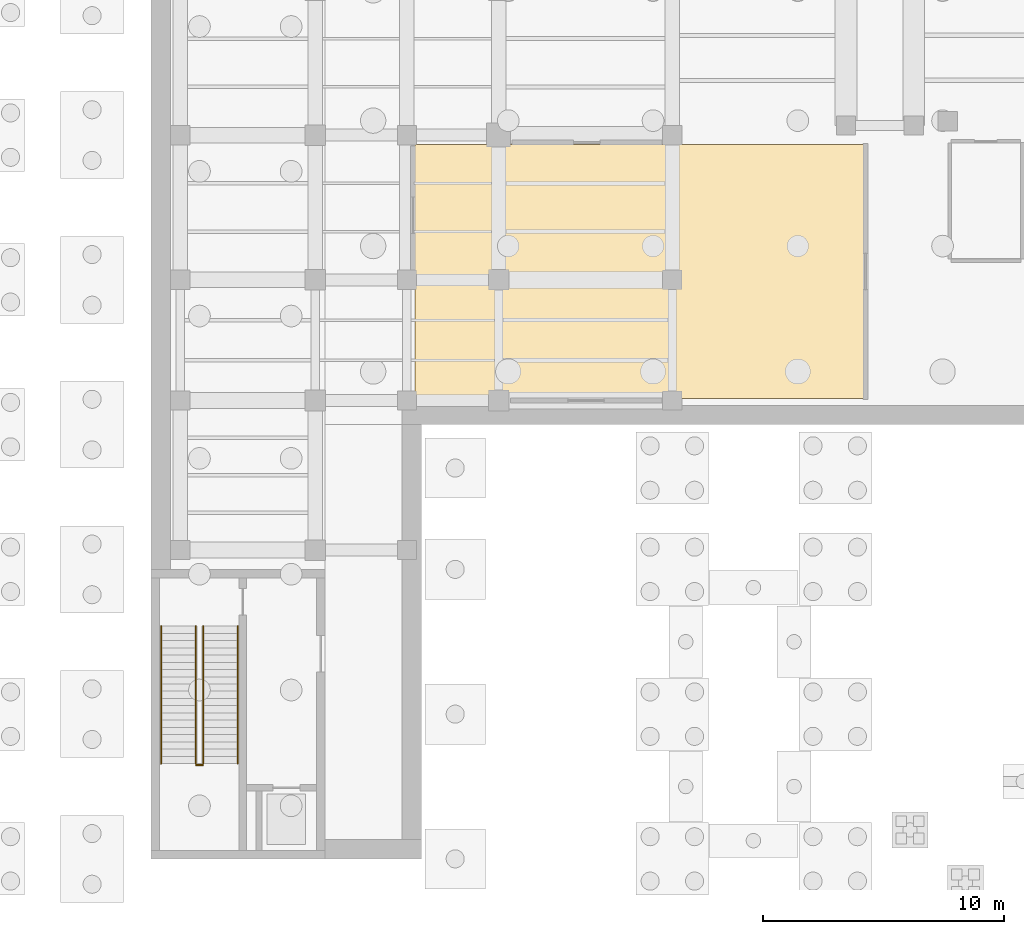
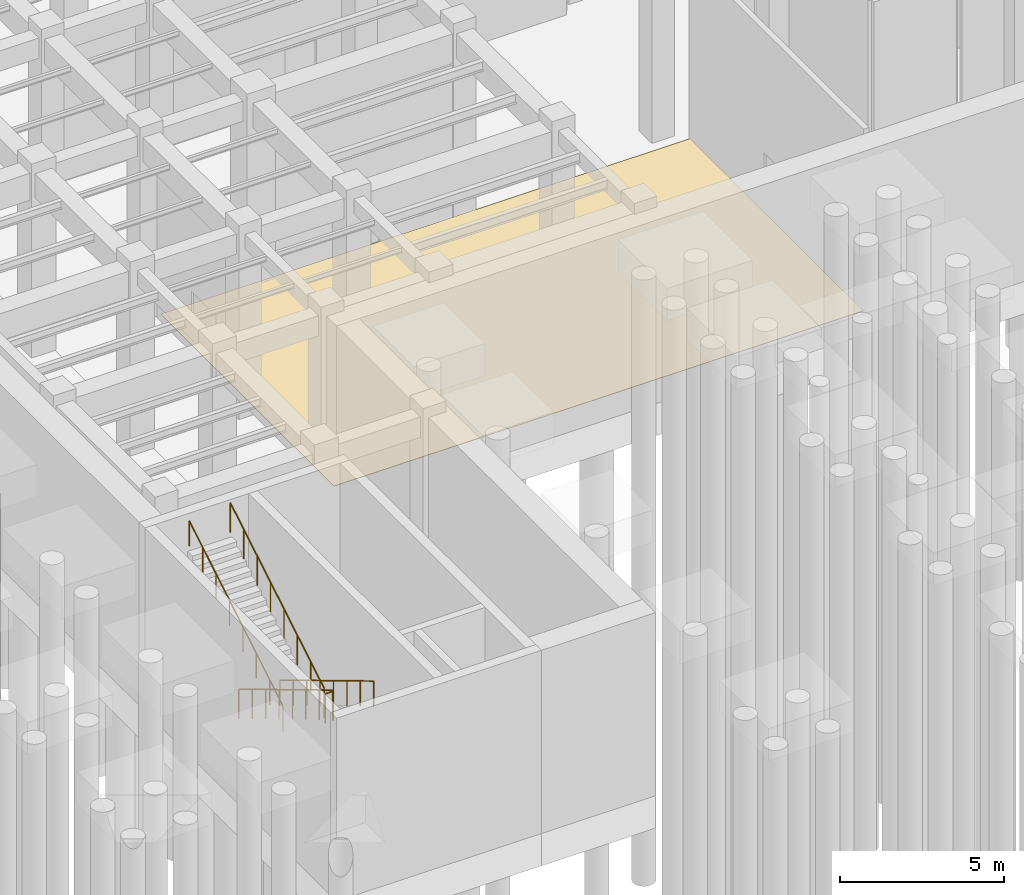
# One storey, part 21 of 30: 5 railings, 1 covering, 1 element without a shape of its own.
"""IFC4 building model written with IfcOpenShell, lengths in metres."""

from ifc_helpers import new_model, si_unit, direction, frame, origin, origin_2d, place, context, subcontext, project, spatial, polyline, circle, outline, extrude, material, layer, layer_set, type_object, element, aggregate, save


model = new_model("IFC4")

# Units and contexts
model_context = context("Model", 3, precision=1e-05, world=origin(), true_north=direction((0.0, 1.0)))
body_context = subcontext(model_context, "Body", "Model", "MODEL_VIEW")
ifc_project = project(units=[si_unit("LENGTHUNIT", "METRE"), si_unit("AREAUNIT", "SQUARE_METRE"), si_unit("VOLUMEUNIT", "CUBIC_METRE"), si_unit("PLANEANGLEUNIT", "RADIAN"), si_unit("MASSUNIT", "GRAM", prefix="KILO")], contexts=[model_context])

# Site, building, storey
site_placement = place(None, origin())
site = spatial("IfcSite", under=ifc_project, at=site_placement, CompositionType="ELEMENT")
building_placement = place(site_placement, origin())
building = spatial("IfcBuilding", under=site, at=building_placement, Name="Kolvaren Corner Interchange", CompositionType="ELEMENT")
storey_placement = place(building_placement, frame((0.0, 0.0, -7.199951171875)))
storey = spatial("IfcBuildingStorey", under=building, at=storey_placement, Name="B1", CompositionType="ELEMENT", Elevation=-7.199951171875)

# Covering
ifc_material_1 = material(Name="Anti-Slip Heavy-Duty Epoxy Resin Flooring")
ifc_layer = layer(ifc_material_1, 0.01806640625)
ifc_layer_set = layer_set([ifc_layer], Name="Anti-Slip Heavy-Duty Epoxy Resin Flooring")
covering_type = type_object("IfcCoveringType", Name="COV-FLR-RES18", PredefinedType="FLOORING", material=ifc_layer_set)
covering_placement = place(storey_placement, origin())
element("IfcCovering", 1, at=covering_placement, inside=storey, type_object=covering_type, Name="B1 Traction Substation Floor Finish", PredefinedType="FLOORING", context=body_context, shape_type="SweptSolid", body=[
    extrude(outline(polyline([(18.1298828125, 25.080078125), (36.719970703125, 25.080078125), (36.719970703125, 35.6201171875), (18.1298828125, 35.6201171875), (18.1298828125, 25.080078125)])), origin(), (0.0, 0.0, 1.0), 0.01806640625),
])

# Stair, railings
ifc_material_2 = material(Name="Concrete C35/45", Category="concrete")
stair_type = type_object("IfcStairType", Name="ST-FF-1550", PredefinedType="HALF_TURN_STAIR", material=ifc_material_2)
stair_placement = place(storey_placement, origin())
stair = element("IfcStair", 2, at=stair_placement, inside=storey, type_object=stair_type, Name="Core C1 Southwest Firefighting Stair B1 to L01 Stair", PredefinedType="HALF_TURN_STAIR")
ifc_material_3 = material(Name="Powder-Coated Steel Stairwell Guardrail", Category="steel")
railing_type_1 = type_object("IfcRailingType", Name="RLT-STAIR-GRD1120", PredefinedType="GUARDRAIL", material=ifc_material_3)
railing_1_placement = place(storey_placement, frame((9.35009765625, 15.64990234375, 0.179931640625)))
railing_1 = element("IfcRailing", 3, at=railing_1_placement, type_object=railing_type_1, Name="Core C1 Southwest Firefighting Stair B1 Lower Flight Well Guardrail", PredefinedType="GUARDRAIL", context=body_context, shape_type="SweptSolid", body=[
    extrude(circle(Radius=0.02392578125, at=origin_2d()), frame((0.0, 0.0, 1.09619140625), z_axis=(0.0, -0.85749616643, 0.514490354193), x_axis=(1.0, 0.0, 0.0)), (0.0, 0.0, 1.0), 6.647216796875),
    extrude(circle(Radius=0.02001953125, at=origin_2d()), origin(), (0.0, 0.0, 1.0), 1.072021484375),
    extrude(circle(Radius=0.02001953125, at=origin_2d()), frame((0.0, -0.814208984375, 0.488525390625)), (0.0, 0.0, 1.0), 1.072021484375),
    extrude(circle(Radius=0.02001953125, at=origin_2d()), frame((0.0, -1.628662109375, 0.97705078125)), (0.0, 0.0, 1.0), 1.072021484375),
    extrude(circle(Radius=0.02001953125, at=origin_2d()), frame((0.0, -2.44287109375, 1.465576171875)), (0.0, 0.0, 1.0), 1.072021484375),
    extrude(circle(Radius=0.02001953125, at=origin_2d()), frame((0.0, -3.257080078125, 1.954345703125)), (0.0, 0.0, 1.0), 1.072021484375),
    extrude(circle(Radius=0.02001953125, at=origin_2d()), frame((0.0, -4.0712890625, 2.44287109375)), (0.0, 0.0, 1.0), 1.072021484375),
    extrude(circle(Radius=0.02001953125, at=origin_2d()), frame((0.0, -4.8857421875, 2.931396484375)), (0.0, 0.0, 1.0), 1.072021484375),
    extrude(circle(Radius=0.02001953125, at=origin_2d()), frame((0.0, -5.699951171875, 3.419921875)), (0.0, 0.0, 1.0), 1.072021484375),
])
railing_2_placement = place(storey_placement, frame((9.340087890625, 9.889892578125, 3.599853515625)))
railing_2 = element("IfcRailing", 4, at=railing_2_placement, type_object=railing_type_1, Name="Core C1 Southwest Firefighting Stair B1 Half Landing Well Guardrail", PredefinedType="GUARDRAIL", context=body_context, shape_type="SweptSolid", body=[
    extrude(circle(Radius=0.02392578125, at=origin_2d()), frame((0.0, 0.0, 1.09619140625), z_axis=(-1.0, 0.0, 0.0), x_axis=(0.0, -1.0, 0.0)), (0.0, 0.0, 1.0), 0.280029296875),
    extrude(circle(Radius=0.02001953125, at=origin_2d()), origin(), (0.0, 0.0, 1.0), 1.072021484375),
    extrude(circle(Radius=0.02001953125, at=origin_2d()), frame((-0.280029296875, 0.0, 0.0)), (0.0, 0.0, 1.0), 1.072021484375),
])
railing_3_placement = place(storey_placement, frame((9.050048828125, 9.949951171875, 3.780029296875)))
railing_3 = element("IfcRailing", 5, at=railing_3_placement, type_object=railing_type_1, Name="Core C1 Southwest Firefighting Stair B1 Upper Flight Well Guardrail", PredefinedType="GUARDRAIL", context=body_context, shape_type="SweptSolid", body=[
    extrude(circle(Radius=0.02392578125, at=origin_2d()), frame((0.0, 0.0, 1.09619140625), z_axis=(0.0, 0.85749616643, 0.514490354193), x_axis=(-1.0, 0.0, 0.0)), (0.0, 0.0, 1.0), 6.647216796875),
    extrude(circle(Radius=0.02001953125, at=origin_2d()), origin(), (0.0, 0.0, 1.0), 1.072021484375),
    extrude(circle(Radius=0.02001953125, at=origin_2d()), frame((0.0, 0.814208984375, 0.488525390625)), (0.0, 0.0, 1.0), 1.072021484375),
    extrude(circle(Radius=0.02001953125, at=origin_2d()), frame((0.0, 1.628662109375, 0.97705078125)), (0.0, 0.0, 1.0), 1.072021484375),
    extrude(circle(Radius=0.02001953125, at=origin_2d()), frame((0.0, 2.44287109375, 1.465576171875)), (0.0, 0.0, 1.0), 1.072021484375),
    extrude(circle(Radius=0.02001953125, at=origin_2d()), frame((0.0, 3.257080078125, 1.954345703125)), (0.0, 0.0, 1.0), 1.072021484375),
    extrude(circle(Radius=0.02001953125, at=origin_2d()), frame((0.0, 4.0712890625, 2.44287109375)), (0.0, 0.0, 1.0), 1.072021484375),
    extrude(circle(Radius=0.02001953125, at=origin_2d()), frame((0.0, 4.8857421875, 2.931396484375)), (0.0, 0.0, 1.0), 1.072021484375),
    extrude(circle(Radius=0.02001953125, at=origin_2d()), frame((0.0, 5.699951171875, 3.419921875)), (0.0, 0.0, 1.0), 1.072021484375),
])
ifc_material_4 = material(Name="Brushed Stainless Steel Stair Handrail", Category="steel")
railing_type_2 = type_object("IfcRailingType", Name="RLT-STAIR-HR950", PredefinedType="HANDRAIL", material=ifc_material_4)
railing_4_placement = place(storey_placement, frame((10.7900390625, 15.64990234375, 0.179931640625)))
railing_4 = element("IfcRailing", 6, at=railing_4_placement, type_object=railing_type_2, Name="Core C1 Southwest Firefighting Stair B1 Lower Flight Wall Handrail", PredefinedType="HANDRAIL", context=body_context, shape_type="SweptSolid", body=[
    extrude(circle(Radius=0.02197265625, at=origin_2d()), frame((0.0, 0.0, 0.927978515625), z_axis=(0.0, -0.85749616643, 0.514490354193), x_axis=(1.0, 0.0, 0.0)), (0.0, 0.0, 1.0), 6.647216796875),
    extrude(circle(Radius=0.01806640625, at=origin_2d()), origin(), (0.0, 0.0, 1.0), 0.906005859375),
    extrude(circle(Radius=0.01806640625, at=origin_2d()), frame((0.0, -0.814208984375, 0.488525390625)), (0.0, 0.0, 1.0), 0.906005859375),
    extrude(circle(Radius=0.01806640625, at=origin_2d()), frame((0.0, -1.628662109375, 0.97705078125)), (0.0, 0.0, 1.0), 0.906005859375),
    extrude(circle(Radius=0.01806640625, at=origin_2d()), frame((0.0, -2.44287109375, 1.465576171875)), (0.0, 0.0, 1.0), 0.906005859375),
    extrude(circle(Radius=0.01806640625, at=origin_2d()), frame((0.0, -3.257080078125, 1.954345703125)), (0.0, 0.0, 1.0), 0.906005859375),
    extrude(circle(Radius=0.01806640625, at=origin_2d()), frame((0.0, -4.0712890625, 2.44287109375)), (0.0, 0.0, 1.0), 0.906005859375),
    extrude(circle(Radius=0.01806640625, at=origin_2d()), frame((0.0, -4.8857421875, 2.931396484375)), (0.0, 0.0, 1.0), 0.906005859375),
    extrude(circle(Radius=0.01806640625, at=origin_2d()), frame((0.0, -5.699951171875, 3.419921875)), (0.0, 0.0, 1.0), 0.906005859375),
])
railing_5_placement = place(storey_placement, frame((7.610107421875, 9.949951171875, 3.780029296875)))
railing_5 = element("IfcRailing", 7, at=railing_5_placement, type_object=railing_type_2, Name="Core C1 Southwest Firefighting Stair B1 Upper Flight Wall Handrail", PredefinedType="HANDRAIL", context=body_context, shape_type="SweptSolid", body=[
    extrude(circle(Radius=0.02197265625, at=origin_2d()), frame((0.0, 0.0, 0.927978515625), z_axis=(0.0, 0.85749616643, 0.514490354193), x_axis=(-1.0, 0.0, 0.0)), (0.0, 0.0, 1.0), 6.647216796875),
    extrude(circle(Radius=0.01806640625, at=origin_2d()), origin(), (0.0, 0.0, 1.0), 0.906005859375),
    extrude(circle(Radius=0.01806640625, at=origin_2d()), frame((0.0, 0.814208984375, 0.488525390625)), (0.0, 0.0, 1.0), 0.906005859375),
    extrude(circle(Radius=0.01806640625, at=origin_2d()), frame((0.0, 1.628662109375, 0.97705078125)), (0.0, 0.0, 1.0), 0.906005859375),
    extrude(circle(Radius=0.01806640625, at=origin_2d()), frame((0.0, 2.44287109375, 1.465576171875)), (0.0, 0.0, 1.0), 0.906005859375),
    extrude(circle(Radius=0.01806640625, at=origin_2d()), frame((0.0, 3.257080078125, 1.954345703125)), (0.0, 0.0, 1.0), 0.906005859375),
    extrude(circle(Radius=0.01806640625, at=origin_2d()), frame((0.0, 4.0712890625, 2.44287109375)), (0.0, 0.0, 1.0), 0.906005859375),
    extrude(circle(Radius=0.01806640625, at=origin_2d()), frame((0.0, 4.8857421875, 2.931396484375)), (0.0, 0.0, 1.0), 0.906005859375),
    extrude(circle(Radius=0.01806640625, at=origin_2d()), frame((0.0, 5.699951171875, 3.419921875)), (0.0, 0.0, 1.0), 0.906005859375),
])
aggregate(stair, [railing_1, railing_2, railing_3, railing_4, railing_5])

save(model, "model.ifc")
